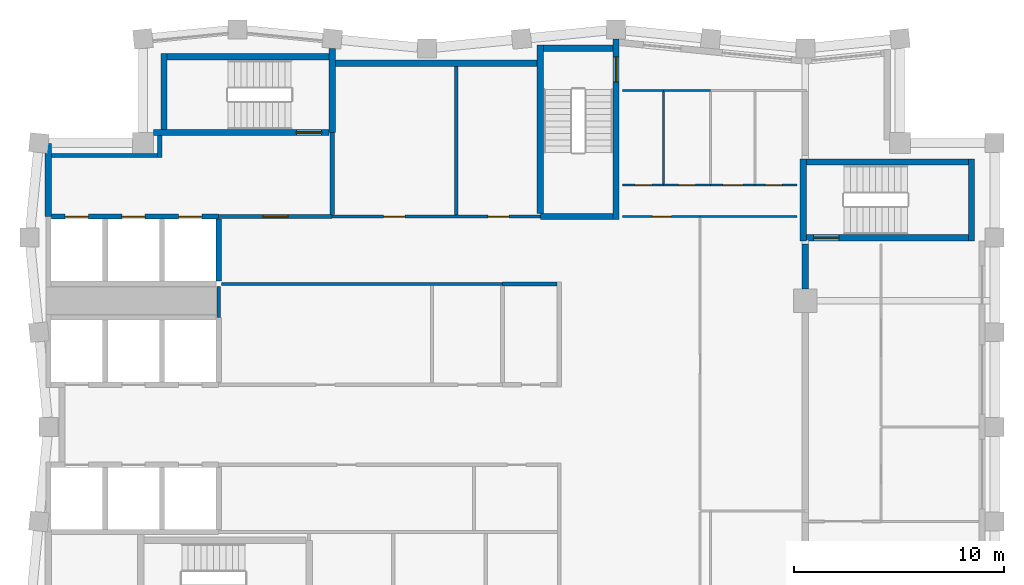
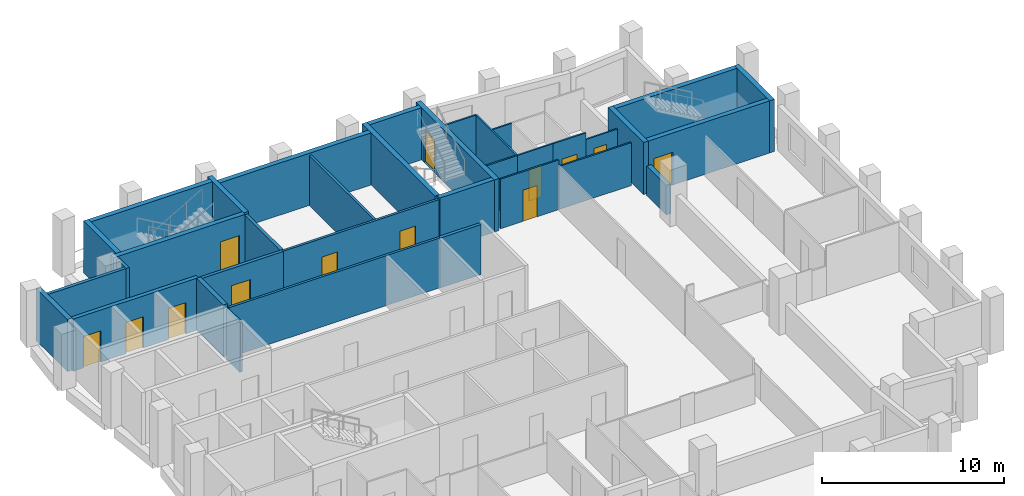
# One storey, part 5 of 7: 35 walls, 14 doors, 14 openings.
"""IFC4 building model written with IfcOpenShell, lengths in metres."""

from ifc_helpers import new_model, si_unit, direction, frame, frame_2d, origin, place, context, subcontext, project, spatial, rectangle, extrude, material, layer, layer_set, type_object, element, fill, save


model = new_model("IFC4")

# Units and contexts
model_context = context("Model", 3, precision=1e-05, world=origin(), true_north=direction((0.0, 1.0)))
body_context = subcontext(model_context, "Body", "Model", "MODEL_VIEW")
ifc_project = project(units=[si_unit("LENGTHUNIT", "METRE"), si_unit("AREAUNIT", "SQUARE_METRE"), si_unit("VOLUMEUNIT", "CUBIC_METRE"), si_unit("PLANEANGLEUNIT", "RADIAN"), si_unit("MASSUNIT", "GRAM", prefix="KILO")], contexts=[model_context])

# Site, building, storey
site_placement = place(None, origin())
site = spatial("IfcSite", under=ifc_project, at=site_placement, CompositionType="ELEMENT")
building_placement = place(site_placement, origin())
building = spatial("IfcBuilding", under=site, at=building_placement, Name="Brondeck Convention Tower", CompositionType="ELEMENT")
storey_placement = place(building_placement, frame((0.0, 0.0, 275.199951171875)))
storey = spatial("IfcBuildingStorey", under=building, at=storey_placement, Name="L68", CompositionType="ELEMENT", Elevation=275.199951171875)

# Walls
ifc_material_1 = material(Name="Concrete compartment wall C30/37", Category="concrete")
ifc_layer_1 = layer(ifc_material_1, 0.300048828125)
ifc_layer_set_1 = layer_set([ifc_layer_1], Name="Compartment wall 300")
wall_type_1 = type_object("IfcWallType", Name="Compartment wall 300", PredefinedType="PARTITIONING", material=ifc_layer_set_1)
wall_1_placement = place(storey_placement, frame((36.0, 51.554931640625, 0.0), z_axis=(0.0, 0.0, 1.0), x_axis=(0.0, 1.0, 0.0)))
element("IfcWall", 1, at=wall_1_placement, inside=storey, type_object=wall_type_1, Name="FLR-L68-W046", PredefinedType="PARTITIONING", context=body_context, shape_type="SweptSolid", body=[
    extrude(rectangle(XDim=2.14501953125, YDim=0.300048828125, at=frame_2d((1.072509765625, 0.0))), origin(), (0.0, 0.0, 1.0), 1.97998046875),
])
ifc_material_2 = material(Name="Concrete C50/60", Category="concrete")
ifc_layer_2 = layer(ifc_material_2, 0.300048828125)
ifc_layer_set_2 = layer_set([ifc_layer_2], Name="Core outer wall 300 Concrete C50/60")
wall_type_2 = type_object("IfcWallType", Name="Core outer wall 300 Concrete C50/60", PredefinedType="SHEAR", material=ifc_layer_set_2)
wall_2_placement = place(storey_placement, frame((13.64990234375, 62.300048828125, 0.0), z_axis=(0.0, 0.0, 1.0), x_axis=(1.0, 0.0, 0.0)))
element("IfcWall", 2, at=wall_2_placement, inside=storey, type_object=wall_type_2, Name="L68 core wall", PredefinedType="SHEAR", context=body_context, shape_type="SweptSolid", body=[
    extrude(rectangle(XDim=9.60009765625, YDim=0.300048828125, at=frame_2d((4.800048828125, 0.0))), origin(), (0.0, 0.0, 1.0), 3.5),
])
wall_3_placement = place(storey_placement, frame((0.0, 55.0, 0.0), z_axis=(0.0, 0.0, 1.0), x_axis=(0.0, 1.0, 0.0)))
element("IfcWall", 3, at=wall_3_placement, inside=storey, type_object=wall_type_2, Name="L68 core wall", PredefinedType="SHEAR", context=body_context, shape_type="SweptSolid", body=[
    extrude(rectangle(XDim=3.4775390625, YDim=0.300048828125, at=frame_2d((1.73876953125, 0.0))), origin(), (0.0, 0.0, 1.0), 3.5),
])
ifc_material_3 = material(Name="Fire-rated gypsum board partition")
ifc_layer_3 = layer(ifc_material_3, 0.14990234375)
ifc_layer_set_3 = layer_set([ifc_layer_3], Name="Core partition 150 EI 60")
wall_type_3 = type_object("IfcWallType", Name="Core partition 150 EI 60", PredefinedType="PARTITIONING", material=ifc_layer_set_3)
wall_4_placement = place(storey_placement, frame((8.22509765625, 51.800048828125, 0.0), z_axis=(0.0, 0.0, 1.0), x_axis=(1.0, 0.0, 0.0)))
element("IfcWall", 4, at=wall_4_placement, inside=storey, type_object=wall_type_3, Name="L68 core wall", PredefinedType="PARTITIONING", context=body_context, shape_type="SweptSolid", body=[
    extrude(rectangle(XDim=13.375, YDim=0.14990234375, at=frame_2d((6.6875, 0.0))), origin(), (0.0, 0.0, 1.0), 3.35009765625),
])

# Wall, openings, doors
wall_5_placement = place(storey_placement, frame((13.5, 55.0, 0.0), z_axis=(0.0, 0.0, 1.0), x_axis=(1.0, 0.0, 0.0)))
wall_5 = element("IfcWall", 5, at=wall_5_placement, inside=storey, type_object=wall_type_3, Name="L68 core wall", PredefinedType="PARTITIONING", context=body_context, shape_type="SweptSolid", body=[
    extrude(rectangle(XDim=9.89990234375, YDim=0.14990234375, at=frame_2d((4.949951171875, 0.0))), origin(), (0.0, 0.0, 1.0), 3.35009765625),
])
opening_1_placement = place(wall_5_placement, frame((2.449951171875, 0.0, 0.0)))
opening_1 = element("IfcOpeningElement", 6, at=opening_1_placement, cuts=wall_5, Name="Opening C38-11", PredefinedType="OPENING", context=body_context, shape_type="SweptSolid", body=[
    extrude(rectangle(XDim=1.0, YDim=2.10009765625, at=frame_2d((0.5, 1.050048828125))), frame((0.0, 0.0849609375, 0.0), z_axis=(0.0, -1.0, 0.0), x_axis=(1.0, 0.0, 0.0)), (0.0, 0.0, 1.0), 0.169921875),
])
opening_2_placement = place(wall_5_placement, frame((7.39990234375, 0.0, 0.0)))
opening_2 = element("IfcOpeningElement", 7, at=opening_2_placement, cuts=wall_5, Name="Opening C38-12", PredefinedType="OPENING", context=body_context, shape_type="SweptSolid", body=[
    extrude(rectangle(XDim=1.0, YDim=2.10009765625, at=frame_2d((0.5, 1.050048828125))), frame((0.0, 0.0849609375, 0.0), z_axis=(0.0, -1.0, 0.0), x_axis=(1.0, 0.0, 0.0)), (0.0, 0.0, 1.0), 0.169921875),
])
ifc_material_4 = material(Name="Steel fire door", Category="steel")
door_type_1 = type_object("IfcDoorType", Name="Room door 1000x2100 EI 60", OperationType="NOTDEFINED", PredefinedType="DOOR", material=ifc_material_4)
door_1_placement = place(opening_1_placement, origin())
door_1 = element("IfcDoor", 8, at=door_1_placement, inside=storey, type_object=door_type_1, Name="L68 Room door NE-1", OperationType="SINGLE_SWING_LEFT", OverallHeight=2.10009765625, OverallWidth=1.0, PredefinedType="DOOR", context=body_context, shape_type="SweptSolid", body=[
    extrude(rectangle(XDim=1.0, YDim=2.10009765625, at=frame_2d((0.5, 1.050048828125))), frame((0.0, 0.02490234375, 0.0), z_axis=(0.0, -1.0, 0.0), x_axis=(1.0, 0.0, 0.0)), (0.0, 0.0, 1.0), 0.050048828125),
])
fill(opening_1, door_1)
door_2_placement = place(opening_2_placement, origin())
door_2 = element("IfcDoor", 9, at=door_2_placement, inside=storey, type_object=door_type_1, Name="L68 Room door NE-2", OperationType="SINGLE_SWING_RIGHT", OverallHeight=2.10009765625, OverallWidth=1.0, PredefinedType="DOOR", context=body_context, shape_type="SweptSolid", body=[
    extrude(rectangle(XDim=1.0, YDim=2.10009765625, at=frame_2d((0.5, 1.050048828125))), frame((0.0, 0.02490234375, 0.0), z_axis=(0.0, -1.0, 0.0), x_axis=(1.0, 0.0, 0.0)), (0.0, 0.0, 1.0), 0.050048828125),
])
fill(opening_2, door_2)

# Walls
wall_6_placement = place(storey_placement, frame((8.10009765625, 50.199951171875, 0.0), z_axis=(0.0, 0.0, 1.0), x_axis=(0.0, 1.0, 0.0)))
element("IfcWall", 10, at=wall_6_placement, inside=storey, type_object=wall_type_3, Name="L68 core wall", PredefinedType="PARTITIONING", context=body_context, shape_type="SweptSolid", body=[
    extrude(rectangle(XDim=1.47509765625, YDim=0.14990234375, at=frame_2d((0.737548828125, 0.0))), origin(), (0.0, 0.0, 1.0), 3.35009765625),
])
wall_7_placement = place(storey_placement, frame((19.39990234375, 55.074951171875, 0.0), z_axis=(0.0, 0.0, 1.0), x_axis=(0.0, 1.0, 0.0)))
element("IfcWall", 11, at=wall_7_placement, inside=storey, type_object=wall_type_3, Name="L68 core wall", PredefinedType="PARTITIONING", context=body_context, shape_type="SweptSolid", body=[
    extrude(rectangle(XDim=7.074951171875, YDim=0.14990234375, at=frame_2d((3.53759765625, 0.0))), origin(), (0.0, 0.0, 1.0), 3.35009765625),
])

# Wall, opening, door
ifc_layer_4 = layer(ifc_material_3, 0.199951171875)
ifc_layer_set_4 = layer_set([ifc_layer_4], Name="Firefighting lobby wall 200 EI 120")
wall_type_4 = type_object("IfcWallType", Name="Firefighting lobby wall 200 EI 120", PredefinedType="PARTITIONING", material=ifc_layer_set_4)
wall_8_placement = place(storey_placement, frame((8.10009765625, 55.0, 0.0), z_axis=(0.0, 0.0, 1.0), x_axis=(1.0, 0.0, 0.0)))
wall_8 = element("IfcWall", 12, at=wall_8_placement, inside=storey, type_object=wall_type_4, Name="L68 core wall", PredefinedType="PARTITIONING", context=body_context, shape_type="SweptSolid", body=[
    extrude(rectangle(XDim=5.39990234375, YDim=0.199951171875, at=frame_2d((2.699951171875, 0.0))), origin(), (0.0, 0.0, 1.0), 3.35009765625),
])
opening_3_placement = place(wall_8_placement, frame((2.10009765625, 0.0, 0.0)))
opening_3 = element("IfcOpeningElement", 13, at=opening_3_placement, cuts=wall_8, Name="Opening C38-01", PredefinedType="OPENING", context=body_context, shape_type="SweptSolid", body=[
    extrude(rectangle(XDim=1.199951171875, YDim=2.199951171875, at=frame_2d((0.60009765625, 1.10009765625))), frame((0.0, 0.10986328125, 0.0), z_axis=(0.0, -1.0, 0.0), x_axis=(1.0, 0.0, 0.0)), (0.0, 0.0, 1.0), 0.219970703125),
])
door_type_2 = type_object("IfcDoorType", Name="Firefighting lobby door 1200x2200 EI 120", OperationType="NOTDEFINED", PredefinedType="DOOR", material=ifc_material_4)
door_3_placement = place(opening_3_placement, origin())
door_3 = element("IfcDoor", 14, at=door_3_placement, inside=storey, type_object=door_type_2, Name="L68 Firefighting lobby door FFL-1", OperationType="SINGLE_SWING_RIGHT", OverallHeight=2.199951171875, OverallWidth=1.199951171875, PredefinedType="DOOR", context=body_context, shape_type="SweptSolid", body=[
    extrude(rectangle(XDim=1.199951171875, YDim=2.199951171875, at=frame_2d((0.60009765625, 1.10009765625))), frame((0.0, 0.02490234375, 0.0), z_axis=(0.0, -1.0, 0.0), x_axis=(1.0, 0.0, 0.0)), (0.0, 0.0, 1.0), 0.050048828125),
])
fill(opening_3, door_3)

# Walls
wall_9_placement = place(storey_placement, frame((0.14990234375, 57.89990234375, 0.0), z_axis=(0.0, 0.0, 1.0), x_axis=(1.0, 0.0, 0.0)))
element("IfcWall", 15, at=wall_9_placement, inside=storey, type_object=wall_type_4, Name="L68 core wall", PredefinedType="PARTITIONING", context=body_context, shape_type="SweptSolid", body=[
    extrude(rectangle(XDim=5.050048828125, YDim=0.199951171875, at=frame_2d((2.52490234375, 0.0))), origin(), (0.0, 0.0, 1.0), 3.35009765625),
])
wall_10_placement = place(storey_placement, frame((5.300048828125, 57.800048828125, 0.0), z_axis=(0.0, 0.0, 1.0), x_axis=(0.0, 1.0, 0.0)))
element("IfcWall", 16, at=wall_10_placement, inside=storey, type_object=wall_type_4, Name="L68 core wall", PredefinedType="PARTITIONING", context=body_context, shape_type="SweptSolid", body=[
    extrude(rectangle(XDim=1.050048828125, YDim=0.199951171875, at=frame_2d((0.52490234375, 0.0))), origin(), (0.0, 0.0, 1.0), 3.35009765625),
])
wall_11_placement = place(storey_placement, frame((13.5, 55.10009765625, 0.0), z_axis=(0.0, 0.0, 1.0), x_axis=(0.0, 1.0, 0.0)))
element("IfcWall", 17, at=wall_11_placement, inside=storey, type_object=wall_type_4, Name="L68 core wall", PredefinedType="PARTITIONING", context=body_context, shape_type="SweptSolid", body=[
    extrude(rectangle(XDim=3.89990234375, YDim=0.199951171875, at=frame_2d((1.949951171875, 0.0))), origin(), (0.0, 0.0, 1.0), 3.35009765625),
])

# Wall, openings, doors
ifc_layer_5 = layer(ifc_material_2, 0.25)
ifc_layer_set_5 = layer_set([ifc_layer_5], Name="Lift shaft wall 250 Concrete C50/60")
wall_type_5 = type_object("IfcWallType", Name="Lift shaft wall 250 Concrete C50/60", PredefinedType="SHEAR", material=ifc_layer_set_5)
wall_12_placement = place(storey_placement, frame((0.14990234375, 55.0, 0.0), z_axis=(0.0, 0.0, 1.0), x_axis=(1.0, 0.0, 0.0)))
wall_12 = element("IfcWall", 18, at=wall_12_placement, inside=storey, type_object=wall_type_5, Name="L68 core wall", PredefinedType="SHEAR", context=body_context, shape_type="SweptSolid", body=[
    extrude(rectangle(XDim=7.9501953125, YDim=0.25, at=frame_2d((3.97509765625, 0.0))), origin(), (0.0, 0.0, 1.0), 3.5),
])
opening_4_placement = place(wall_12_placement, frame((0.64990234375, 0.0, 0.0)))
opening_4 = element("IfcOpeningElement", 19, at=opening_4_placement, cuts=wall_12, Name="Opening C38-18", PredefinedType="OPENING", context=body_context, shape_type="SweptSolid", body=[
    extrude(rectangle(XDim=1.10009765625, YDim=2.10009765625, at=frame_2d((0.550048828125, 1.050048828125))), frame((0.0, 0.135009765625, 0.0), z_axis=(0.0, -1.0, 0.0), x_axis=(1.0, 0.0, 0.0)), (0.0, 0.0, 1.0), 0.27001953125),
])
opening_5_placement = place(wall_12_placement, frame((3.35009765625, 0.0, 0.0)))
opening_5 = element("IfcOpeningElement", 20, at=opening_5_placement, cuts=wall_12, Name="Opening C38-19", PredefinedType="OPENING", context=body_context, shape_type="SweptSolid", body=[
    extrude(rectangle(XDim=1.10009765625, YDim=2.10009765625, at=frame_2d((0.550048828125, 1.050048828125))), frame((0.0, 0.135009765625, 0.0), z_axis=(0.0, -1.0, 0.0), x_axis=(1.0, 0.0, 0.0)), (0.0, 0.0, 1.0), 0.27001953125),
])
opening_6_placement = place(wall_12_placement, frame((6.050048828125, 0.0, 0.0)))
opening_6 = element("IfcOpeningElement", 21, at=opening_6_placement, cuts=wall_12, Name="Opening C38-20", PredefinedType="OPENING", context=body_context, shape_type="SweptSolid", body=[
    extrude(rectangle(XDim=1.10009765625, YDim=2.10009765625, at=frame_2d((0.550048828125, 1.050048828125))), frame((0.0, 0.135009765625, 0.0), z_axis=(0.0, -1.0, 0.0), x_axis=(1.0, 0.0, 0.0)), (0.0, 0.0, 1.0), 0.27001953125),
])
ifc_material_5 = material(Name="Stainless steel lift door", Category="steel")
door_type_3 = type_object("IfcDoorType", Name="Lift landing door 1100x2100 EI 180", OperationType="DOUBLE_DOOR_SLIDING", PredefinedType="DOOR", material=ifc_material_5)
door_4_placement = place(opening_4_placement, origin())
door_4 = element("IfcDoor", 22, at=door_4_placement, inside=storey, type_object=door_type_3, Name="L68 Lift landing door FF1", OperationType="DOUBLE_DOOR_SLIDING", OverallHeight=2.10009765625, OverallWidth=1.10009765625, PredefinedType="DOOR", context=body_context, shape_type="SweptSolid", body=[
    extrude(rectangle(XDim=1.10009765625, YDim=2.10009765625, at=frame_2d((0.550048828125, 1.050048828125))), frame((0.0, 0.02490234375, 0.0), z_axis=(0.0, -1.0, 0.0), x_axis=(1.0, 0.0, 0.0)), (0.0, 0.0, 1.0), 0.050048828125),
])
fill(opening_4, door_4)
door_5_placement = place(opening_5_placement, origin())
door_5 = element("IfcDoor", 23, at=door_5_placement, inside=storey, type_object=door_type_3, Name="L68 Lift landing door FF2", OperationType="DOUBLE_DOOR_SLIDING", OverallHeight=2.10009765625, OverallWidth=1.10009765625, PredefinedType="DOOR", context=body_context, shape_type="SweptSolid", body=[
    extrude(rectangle(XDim=1.10009765625, YDim=2.10009765625, at=frame_2d((0.550048828125, 1.050048828125))), frame((0.0, 0.02490234375, 0.0), z_axis=(0.0, -1.0, 0.0), x_axis=(1.0, 0.0, 0.0)), (0.0, 0.0, 1.0), 0.050048828125),
])
fill(opening_5, door_5)
door_6_placement = place(opening_6_placement, origin())
door_6 = element("IfcDoor", 24, at=door_6_placement, inside=storey, type_object=door_type_3, Name="L68 Lift landing door FF3", OperationType="DOUBLE_DOOR_SLIDING", OverallHeight=2.10009765625, OverallWidth=1.10009765625, PredefinedType="DOOR", context=body_context, shape_type="SweptSolid", body=[
    extrude(rectangle(XDim=1.10009765625, YDim=2.10009765625, at=frame_2d((0.550048828125, 1.050048828125))), frame((0.0, 0.02490234375, 0.0), z_axis=(0.0, -1.0, 0.0), x_axis=(1.0, 0.0, 0.0)), (0.0, 0.0, 1.0), 0.050048828125),
])
fill(opening_6, door_6)

# Walls
wall_13_placement = place(storey_placement, frame((8.10009765625, 51.925048828125, 0.0), z_axis=(0.0, 0.0, 1.0), x_axis=(0.0, 1.0, 0.0)))
element("IfcWall", 25, at=wall_13_placement, inside=storey, type_object=wall_type_5, Name="L68 core wall", PredefinedType="SHEAR", context=body_context, shape_type="SweptSolid", body=[
    extrude(rectangle(XDim=2.949951171875, YDim=0.25, at=frame_2d((1.47509765625, 0.0))), origin(), (0.0, 0.0, 1.0), 3.5),
])
ifc_layer_6 = layer(ifc_material_3, 0.199951171875)
ifc_layer_set_6 = layer_set([ifc_layer_6], Name="Riser wall 200 EI 120")
wall_type_6 = type_object("IfcWallType", Name="Riser wall 200 EI 120", PredefinedType="PARTITIONING", material=ifc_layer_set_6)
wall_14_placement = place(storey_placement, frame((21.60009765625, 51.800048828125, 0.0), z_axis=(0.0, 0.0, 1.0), x_axis=(1.0, 0.0, 0.0)))
element("IfcWall", 26, at=wall_14_placement, inside=storey, type_object=wall_type_6, Name="L68 core wall", PredefinedType="PARTITIONING", context=body_context, shape_type="SweptSolid", body=[
    extrude(rectangle(XDim=2.599853515625, YDim=0.199951171875, at=frame_2d((1.2998046875, 0.0))), origin(), (0.0, 0.0, 1.0), 3.35009765625),
])

# Wall, opening, door
ifc_material_6 = material(Name="Gypsum board partition on steel studs", Category="steel")
ifc_layer_7 = layer(ifc_material_6, 0.10009765625)
ifc_layer_set_7 = layer_set([ifc_layer_7], Name="Room partition 100")
wall_type_7 = type_object("IfcWallType", Name="Room partition 100", PredefinedType="PARTITIONING", material=ifc_layer_set_7)
wall_15_placement = place(storey_placement, frame((27.300048828125, 55.0, 0.0), z_axis=(0.0, 0.0, 1.0), x_axis=(1.0, 0.0, 0.0)))
wall_15 = element("IfcWall", 27, at=wall_15_placement, inside=storey, type_object=wall_type_7, Name="FLR-L68-W049", PredefinedType="PARTITIONING", context=body_context, shape_type="SweptSolid", body=[
    extrude(rectangle(XDim=3.699951171875, YDim=0.10009765625, at=frame_2d((1.85009765625, 0.0))), origin(), (0.0, 0.0, 1.0), 3.330078125),
])
opening_7_placement = place(wall_15_placement, frame((1.425048828125, 0.0, 0.0)))
opening_7 = element("IfcOpeningElement", 28, at=opening_7_placement, cuts=wall_15, Name="Opening EX-D-007", PredefinedType="OPENING", context=body_context, shape_type="SweptSolid", body=[
    extrude(rectangle(XDim=0.89990234375, YDim=2.10009765625, at=frame_2d((0.449951171875, 1.050048828125))), frame((0.0, 0.06005859375, 0.0), z_axis=(0.0, -1.0, 0.0), x_axis=(1.0, 0.0, 0.0)), (0.0, 0.0, 1.0), 0.1201171875),
])
ifc_material_7 = material(Name="Solid timber door leaf", Category="wood")
door_type_4 = type_object("IfcDoorType", Name="Single door 900", OperationType="NOTDEFINED", PredefinedType="DOOR", material=ifc_material_7)
door_7_placement = place(opening_7_placement, origin())
door_7 = element("IfcDoor", 29, at=door_7_placement, inside=storey, type_object=door_type_4, Name="Door EX-D-007", OperationType="SINGLE_SWING_RIGHT", OverallHeight=2.10009765625, OverallWidth=0.89990234375, PredefinedType="DOOR", context=body_context, shape_type="SweptSolid", body=[
    extrude(rectangle(XDim=0.89990234375, YDim=2.10009765625, at=frame_2d((0.449951171875, 1.050048828125))), frame((0.0, 0.02490234375, 0.0), z_axis=(0.0, -1.0, 0.0), x_axis=(1.0, 0.0, 0.0)), (0.0, 0.0, 1.0), 0.050048828125),
])
fill(opening_7, door_7)

# Wall
wall_16_placement = place(storey_placement, frame((35.60009765625, 55.0, 0.0), z_axis=(0.0, 0.0, 1.0), x_axis=(-1.0, 0.0, 0.0)))
element("IfcWall", 30, at=wall_16_placement, inside=storey, type_object=wall_type_7, Name="FLR-L68-W050", PredefinedType="PARTITIONING", context=body_context, shape_type="SweptSolid", body=[
    extrude(rectangle(XDim=4.60009765625, YDim=0.10009765625, at=frame_2d((2.300048828125, 0.0))), origin(), (0.0, 0.0, 1.0), 2.880126953125),
])

# Wall, opening, door
wall_17_placement = place(storey_placement, frame((27.300048828125, 56.5, 0.0), z_axis=(0.0, 0.0, 1.0), x_axis=(1.0, 0.0, 0.0)))
wall_17 = element("IfcWall", 31, at=wall_17_placement, inside=storey, type_object=wall_type_7, Name="FLR-L68-W051", PredefinedType="PARTITIONING", context=body_context, shape_type="SweptSolid", body=[
    extrude(rectangle(XDim=1.949951171875, YDim=0.10009765625, at=frame_2d((0.97509765625, 0.0))), origin(), (0.0, 0.0, 1.0), 3.330078125),
])
opening_8_placement = place(wall_17_placement, frame((0.60009765625, 0.0, 0.0)))
opening_8 = element("IfcOpeningElement", 32, at=opening_8_placement, cuts=wall_17, Name="Opening EX-D-008", PredefinedType="OPENING", context=body_context, shape_type="SweptSolid", body=[
    extrude(rectangle(XDim=0.800048828125, YDim=2.10009765625, at=frame_2d((0.39990234375, 1.050048828125))), frame((0.0, 0.06005859375, 0.0), z_axis=(0.0, -1.0, 0.0), x_axis=(1.0, 0.0, 0.0)), (0.0, 0.0, 1.0), 0.1201171875),
])
door_type_5 = type_object("IfcDoorType", Name="En-suite door 800", OperationType="NOTDEFINED", PredefinedType="DOOR", material=ifc_material_7)
door_8_placement = place(opening_8_placement, origin())
door_8 = element("IfcDoor", 33, at=door_8_placement, inside=storey, type_object=door_type_5, Name="Door EX-D-008", OperationType="SINGLE_SWING_LEFT", OverallHeight=2.10009765625, OverallWidth=0.800048828125, PredefinedType="DOOR", context=body_context, shape_type="SweptSolid", body=[
    extrude(rectangle(XDim=0.800048828125, YDim=2.10009765625, at=frame_2d((0.39990234375, 1.050048828125))), frame((0.0, 0.02490234375, 0.0), z_axis=(0.0, -1.0, 0.0), x_axis=(1.0, 0.0, 0.0)), (0.0, 0.0, 1.0), 0.050048828125),
])
fill(opening_8, door_8)

wall_18_placement = place(storey_placement, frame((29.25, 56.5, 0.0), z_axis=(0.0, 0.0, 1.0), x_axis=(1.0, 0.0, 0.0)))
wall_18 = element("IfcWall", 34, at=wall_18_placement, inside=storey, type_object=wall_type_7, Name="FLR-L68-W052", PredefinedType="PARTITIONING", context=body_context, shape_type="SweptSolid", body=[
    extrude(rectangle(XDim=2.25, YDim=0.10009765625, at=frame_2d((1.125, 0.0))), origin(), (0.0, 0.0, 1.0), 3.330078125),
])
opening_9_placement = place(wall_18_placement, frame((0.72509765625, 0.0, 0.0)))
opening_9 = element("IfcOpeningElement", 35, at=opening_9_placement, cuts=wall_18, Name="Opening EX-D-009", PredefinedType="OPENING", context=body_context, shape_type="SweptSolid", body=[
    extrude(rectangle(XDim=0.800048828125, YDim=2.10009765625, at=frame_2d((0.39990234375, 1.050048828125))), frame((0.0, 0.06005859375, 0.0), z_axis=(0.0, -1.0, 0.0), x_axis=(1.0, 0.0, 0.0)), (0.0, 0.0, 1.0), 0.1201171875),
])
door_9_placement = place(opening_9_placement, origin())
door_9 = element("IfcDoor", 36, at=door_9_placement, inside=storey, type_object=door_type_5, Name="Door EX-D-009", OperationType="SINGLE_SWING_RIGHT", OverallHeight=2.10009765625, OverallWidth=0.800048828125, PredefinedType="DOOR", context=body_context, shape_type="SweptSolid", body=[
    extrude(rectangle(XDim=0.800048828125, YDim=2.10009765625, at=frame_2d((0.39990234375, 1.050048828125))), frame((0.0, 0.02490234375, 0.0), z_axis=(0.0, -1.0, 0.0), x_axis=(1.0, 0.0, 0.0)), (0.0, 0.0, 1.0), 0.050048828125),
])
fill(opening_9, door_9)

wall_19_placement = place(storey_placement, frame((31.5, 56.5, 0.0), z_axis=(0.0, 0.0, 1.0), x_axis=(1.0, 0.0, 0.0)))
wall_19 = element("IfcWall", 37, at=wall_19_placement, inside=storey, type_object=wall_type_7, Name="FLR-L68-W053", PredefinedType="PARTITIONING", context=body_context, shape_type="SweptSolid", body=[
    extrude(rectangle(XDim=2.10009765625, YDim=0.10009765625, at=frame_2d((1.050048828125, 0.0))), origin(), (0.0, 0.0, 1.0), 3.330078125),
])
opening_10_placement = place(wall_19_placement, frame((0.574951171875, 0.0, 0.0)))
opening_10 = element("IfcOpeningElement", 38, at=opening_10_placement, cuts=wall_19, Name="Opening EX-D-010", PredefinedType="OPENING", context=body_context, shape_type="SweptSolid", body=[
    extrude(rectangle(XDim=0.949951171875, YDim=2.10009765625, at=frame_2d((0.47509765625, 1.050048828125))), frame((0.0, 0.06005859375, 0.0), z_axis=(0.0, -1.0, 0.0), x_axis=(1.0, 0.0, 0.0)), (0.0, 0.0, 1.0), 0.1201171875),
])
door_type_6 = type_object("IfcDoorType", Name="Accessible door 950", OperationType="NOTDEFINED", PredefinedType="DOOR", material=ifc_material_7)
door_10_placement = place(opening_10_placement, origin())
door_10 = element("IfcDoor", 39, at=door_10_placement, inside=storey, type_object=door_type_6, Name="Door EX-D-010", OperationType="SINGLE_SWING_LEFT", OverallHeight=2.10009765625, OverallWidth=0.949951171875, PredefinedType="DOOR", context=body_context, shape_type="SweptSolid", body=[
    extrude(rectangle(XDim=0.949951171875, YDim=2.10009765625, at=frame_2d((0.47509765625, 1.050048828125))), frame((0.0, 0.02490234375, 0.0), z_axis=(0.0, -1.0, 0.0), x_axis=(1.0, 0.0, 0.0)), (0.0, 0.0, 1.0), 0.050048828125),
])
fill(opening_10, door_10)

wall_20_placement = place(storey_placement, frame((33.60009765625, 56.5, 0.0), z_axis=(0.0, 0.0, 1.0), x_axis=(1.0, 0.0, 0.0)))
wall_20 = element("IfcWall", 40, at=wall_20_placement, inside=storey, type_object=wall_type_7, Name="FLR-L68-W054", PredefinedType="PARTITIONING", context=body_context, shape_type="SweptSolid", body=[
    extrude(rectangle(XDim=2.0, YDim=0.10009765625, at=frame_2d((1.0, 0.0))), origin(), (0.0, 0.0, 1.0), 2.880126953125),
])
opening_11_placement = place(wall_20_placement, frame((0.5, 0.0, 0.0)))
opening_11 = element("IfcOpeningElement", 41, at=opening_11_placement, cuts=wall_20, Name="Opening EX-D-011", PredefinedType="OPENING", context=body_context, shape_type="SweptSolid", body=[
    extrude(rectangle(XDim=0.800048828125, YDim=2.10009765625, at=frame_2d((0.39990234375, 1.050048828125))), frame((0.0, 0.06005859375, 0.0), z_axis=(0.0, -1.0, 0.0), x_axis=(1.0, 0.0, 0.0)), (0.0, 0.0, 1.0), 0.1201171875),
])
ifc_material_8 = material(Name="Steel service door leaf", Category="steel")
door_type_7 = type_object("IfcDoorType", Name="Service door 800", OperationType="NOTDEFINED", PredefinedType="DOOR", material=ifc_material_8)
door_11_placement = place(opening_11_placement, origin())
door_11 = element("IfcDoor", 42, at=door_11_placement, inside=storey, type_object=door_type_7, Name="Door EX-D-011", OperationType="SINGLE_SWING_LEFT", OverallHeight=2.10009765625, OverallWidth=0.800048828125, PredefinedType="DOOR", context=body_context, shape_type="SweptSolid", body=[
    extrude(rectangle(XDim=0.800048828125, YDim=2.10009765625, at=frame_2d((0.39990234375, 1.050048828125))), frame((0.0, 0.02490234375, 0.0), z_axis=(0.0, -1.0, 0.0), x_axis=(1.0, 0.0, 0.0)), (0.0, 0.0, 1.0), 0.050048828125),
])
fill(opening_11, door_11)

# Walls
wall_21_placement = place(storey_placement, frame((29.25, 60.949951171875, 0.0), z_axis=(0.0, 0.0, 1.0), x_axis=(0.0, -1.0, 0.0)))
element("IfcWall", 43, at=wall_21_placement, inside=storey, type_object=wall_type_7, Name="FLR-L68-W055", PredefinedType="PARTITIONING", context=body_context, shape_type="SweptSolid", body=[
    extrude(rectangle(XDim=4.39990234375, YDim=0.10009765625, at=frame_2d((2.199951171875, 0.0))), origin(), (0.0, 0.0, 1.0), 3.330078125),
])
wall_22_placement = place(storey_placement, frame((27.300048828125, 61.0, 0.0), z_axis=(0.0, 0.0, 1.0), x_axis=(1.0, 0.0, 0.0)))
element("IfcWall", 44, at=wall_22_placement, inside=storey, type_object=wall_type_7, Name="FLR-L68-W059", PredefinedType="PARTITIONING", context=body_context, shape_type="SweptSolid", body=[
    extrude(rectangle(XDim=1.949951171875, YDim=0.10009765625, at=frame_2d((0.97509765625, 0.0))), origin(), (0.0, 0.0, 1.0), 3.330078125),
])
wall_23_placement = place(storey_placement, frame((29.25, 61.0, 0.0), z_axis=(0.0, 0.0, 1.0), x_axis=(1.0, 0.0, 0.0)))
element("IfcWall", 45, at=wall_23_placement, inside=storey, type_object=wall_type_7, Name="FLR-L68-W060", PredefinedType="PARTITIONING", context=body_context, shape_type="SweptSolid", body=[
    extrude(rectangle(XDim=2.25, YDim=0.10009765625, at=frame_2d((1.125, 0.0))), origin(), (0.0, 0.0, 1.0), 1.97998046875),
])

# Wall, opening, door
ifc_layer_8 = layer(ifc_material_2, 0.300048828125)
ifc_layer_set_8 = layer_set([ifc_layer_8], Name="Stair enclosure wall 300 Concrete C50/60")
wall_type_8 = type_object("IfcWallType", Name="Stair enclosure wall 300 Concrete C50/60", PredefinedType="SHEAR", material=ifc_layer_set_8)
wall_24_placement = place(storey_placement, frame((36.050048828125, 54.0, 0.0), z_axis=(0.0, 0.0, 1.0), x_axis=(1.0, 0.0, 0.0)))
wall_24 = element("IfcWall", 46, at=wall_24_placement, inside=storey, type_object=wall_type_8, Name="L68 core wall", PredefinedType="SHEAR", context=body_context, shape_type="SweptSolid", body=[
    extrude(rectangle(XDim=7.699951171875, YDim=0.300048828125, at=frame_2d((3.85009765625, 0.0))), origin(), (0.0, 0.0, 1.0), 3.5),
])
opening_12_placement = place(wall_24_placement, frame((0.35009765625, 0.0, 0.0)))
opening_12 = element("IfcOpeningElement", 47, at=opening_12_placement, cuts=wall_24, Name="Opening C38-16", PredefinedType="OPENING", context=body_context, shape_type="SweptSolid", body=[
    extrude(rectangle(XDim=1.199951171875, YDim=2.199951171875, at=frame_2d((0.60009765625, 1.10009765625))), frame((0.0, 0.159912109375, 0.0), z_axis=(0.0, -1.0, 0.0), x_axis=(1.0, 0.0, 0.0)), (0.0, 0.0, 1.0), 0.320068359375),
])
door_type_8 = type_object("IfcDoorType", Name="Stair door 1200x2200 EI 90", OperationType="NOTDEFINED", PredefinedType="DOOR", material=ifc_material_4)
door_12_placement = place(opening_12_placement, origin())
door_12 = element("IfcDoor", 48, at=door_12_placement, inside=storey, type_object=door_type_8, Name="L68 Stair door ST-AE", OperationType="SINGLE_SWING_LEFT", OverallHeight=2.199951171875, OverallWidth=1.199951171875, PredefinedType="DOOR", context=body_context, shape_type="SweptSolid", body=[
    extrude(rectangle(XDim=1.199951171875, YDim=2.199951171875, at=frame_2d((0.60009765625, 1.10009765625))), frame((0.0, 0.02490234375, 0.0), z_axis=(0.0, -1.0, 0.0), x_axis=(1.0, 0.0, 0.0)), (0.0, 0.0, 1.0), 0.050048828125),
])
fill(opening_12, door_12)

# Walls
wall_25_placement = place(storey_placement, frame((23.39990234375, 55.0, 0.0), z_axis=(0.0, 0.0, 1.0), x_axis=(1.0, 0.0, 0.0)))
element("IfcWall", 49, at=wall_25_placement, inside=storey, type_object=wall_type_8, Name="L68 core wall", PredefinedType="SHEAR", context=body_context, shape_type="SweptSolid", body=[
    extrude(rectangle(XDim=3.4501953125, YDim=0.300048828125, at=frame_2d((1.72509765625, 0.0))), origin(), (0.0, 0.0, 1.0), 3.5),
])
wall_26_placement = place(storey_placement, frame((36.050048828125, 57.60009765625, 0.0), z_axis=(0.0, 0.0, 1.0), x_axis=(1.0, 0.0, 0.0)))
element("IfcWall", 50, at=wall_26_placement, inside=storey, type_object=wall_type_8, Name="L68 core wall", PredefinedType="SHEAR", context=body_context, shape_type="SweptSolid", body=[
    extrude(rectangle(XDim=7.699951171875, YDim=0.300048828125, at=frame_2d((3.85009765625, 0.0))), origin(), (0.0, 0.0, 1.0), 3.5),
])

# Wall, opening, door
wall_27_placement = place(storey_placement, frame((5.0, 59.0, 0.0), z_axis=(0.0, 0.0, 1.0), x_axis=(1.0, 0.0, 0.0)))
wall_27 = element("IfcWall", 51, at=wall_27_placement, inside=storey, type_object=wall_type_8, Name="L68 core wall", PredefinedType="SHEAR", context=body_context, shape_type="SweptSolid", body=[
    extrude(rectangle(XDim=8.35009765625, YDim=0.300048828125, at=frame_2d((4.175048828125, 0.0))), origin(), (0.0, 0.0, 1.0), 3.5),
])
opening_13_placement = place(wall_27_placement, frame((6.800048828125, 0.0, 0.0)))
opening_13 = element("IfcOpeningElement", 52, at=opening_13_placement, cuts=wall_27, Name="Opening C38-15", PredefinedType="OPENING", context=body_context, shape_type="SweptSolid", body=[
    extrude(rectangle(XDim=1.199951171875, YDim=2.199951171875, at=frame_2d((0.60009765625, 1.10009765625))), frame((0.0, 0.159912109375, 0.0), z_axis=(0.0, -1.0, 0.0), x_axis=(1.0, 0.0, 0.0)), (0.0, 0.0, 1.0), 0.320068359375),
])
door_type_9 = type_object("IfcDoorType", Name="Stair door 1200x2200 EI 120", OperationType="NOTDEFINED", PredefinedType="DOOR", material=ifc_material_4)
door_13_placement = place(opening_13_placement, origin())
door_13 = element("IfcDoor", 53, at=door_13_placement, inside=storey, type_object=door_type_9, Name="L68 Stair door ST-3", OperationType="SINGLE_SWING_RIGHT", OverallHeight=2.199951171875, OverallWidth=1.199951171875, PredefinedType="DOOR", context=body_context, shape_type="SweptSolid", body=[
    extrude(rectangle(XDim=1.199951171875, YDim=2.199951171875, at=frame_2d((0.60009765625, 1.10009765625))), frame((0.0, 0.02490234375, 0.0), z_axis=(0.0, -1.0, 0.0), x_axis=(1.0, 0.0, 0.0)), (0.0, 0.0, 1.0), 0.050048828125),
])
fill(opening_13, door_13)

# Walls
wall_28_placement = place(storey_placement, frame((5.64990234375, 62.60009765625, 0.0), z_axis=(0.0, 0.0, 1.0), x_axis=(1.0, 0.0, 0.0)))
element("IfcWall", 54, at=wall_28_placement, inside=storey, type_object=wall_type_8, Name="L68 core wall", PredefinedType="SHEAR", context=body_context, shape_type="SweptSolid", body=[
    extrude(rectangle(XDim=7.7001953125, YDim=0.300048828125, at=frame_2d((3.85009765625, 0.0))), origin(), (0.0, 0.0, 1.0), 3.5),
])
wall_29_placement = place(storey_placement, frame((23.550048828125, 63.0, 0.0), z_axis=(0.0, 0.0, 1.0), x_axis=(1.0, 0.0, 0.0)))
element("IfcWall", 55, at=wall_29_placement, inside=storey, type_object=wall_type_8, Name="L68 core wall", PredefinedType="SHEAR", context=body_context, shape_type="SweptSolid", body=[
    extrude(rectangle(XDim=3.300048828125, YDim=0.300048828125, at=frame_2d((1.64990234375, 0.0))), origin(), (0.0, 0.0, 1.0), 3.5),
])
wall_30_placement = place(storey_placement, frame((5.5, 59.14990234375, 0.0), z_axis=(0.0, 0.0, 1.0), x_axis=(0.0, 1.0, 0.0)))
element("IfcWall", 56, at=wall_30_placement, inside=storey, type_object=wall_type_8, Name="L68 core wall", PredefinedType="SHEAR", context=body_context, shape_type="SweptSolid", body=[
    extrude(rectangle(XDim=3.60009765625, YDim=0.300048828125, at=frame_2d((1.800048828125, 0.0))), origin(), (0.0, 0.0, 1.0), 3.5),
])
wall_31_placement = place(storey_placement, frame((13.5, 59.0, 0.0), z_axis=(0.0, 0.0, 1.0), x_axis=(0.0, 1.0, 0.0)))
element("IfcWall", 57, at=wall_31_placement, inside=storey, type_object=wall_type_8, Name="L68 core wall", PredefinedType="SHEAR", context=body_context, shape_type="SweptSolid", body=[
    extrude(rectangle(XDim=3.997802734375, YDim=0.300048828125, at=frame_2d((1.9990234375, 0.0))), origin(), (0.0, 0.0, 1.0), 3.5),
])
wall_32_placement = place(storey_placement, frame((23.39990234375, 55.14990234375, 0.0), z_axis=(0.0, 0.0, 1.0), x_axis=(0.0, 1.0, 0.0)))
element("IfcWall", 58, at=wall_32_placement, inside=storey, type_object=wall_type_8, Name="L68 core wall", PredefinedType="SHEAR", context=body_context, shape_type="SweptSolid", body=[
    extrude(rectangle(XDim=8.0, YDim=0.300048828125, at=frame_2d((4.0, 0.0))), origin(), (0.0, 0.0, 1.0), 3.5),
])

# Wall, opening, door
wall_33_placement = place(storey_placement, frame((27.0, 54.85009765625, 0.0), z_axis=(0.0, 0.0, 1.0), x_axis=(0.0, 1.0, 0.0)))
wall_33 = element("IfcWall", 59, at=wall_33_placement, inside=storey, type_object=wall_type_8, Name="L68 core wall", PredefinedType="SHEAR", context=body_context, shape_type="SweptSolid", body=[
    extrude(rectangle(XDim=8.599853515625, YDim=0.300048828125, at=frame_2d((4.2998046875, 0.0))), origin(), (0.0, 0.0, 1.0), 3.5),
])
opening_14_placement = place(wall_33_placement, frame((6.550048828125, 0.0, 0.0)))
opening_14 = element("IfcOpeningElement", 60, at=opening_14_placement, cuts=wall_33, Name="Opening C38-14", PredefinedType="OPENING", context=body_context, shape_type="SweptSolid", body=[
    extrude(rectangle(XDim=1.199951171875, YDim=2.199951171875, at=frame_2d((0.60009765625, 1.10009765625))), frame((0.0, 0.159912109375, 0.0), z_axis=(0.0, -1.0, 0.0), x_axis=(1.0, 0.0, 0.0)), (0.0, 0.0, 1.0), 0.320068359375),
])
door_14_placement = place(opening_14_placement, origin())
door_14 = element("IfcDoor", 61, at=door_14_placement, inside=storey, type_object=door_type_8, Name="L68 Stair door ST-2", OperationType="SINGLE_SWING_LEFT", OverallHeight=2.199951171875, OverallWidth=1.199951171875, PredefinedType="DOOR", context=body_context, shape_type="SweptSolid", body=[
    extrude(rectangle(XDim=1.199951171875, YDim=2.199951171875, at=frame_2d((0.60009765625, 1.10009765625))), frame((0.0, 0.02490234375, 0.0), z_axis=(0.0, -1.0, 0.0), x_axis=(1.0, 0.0, 0.0)), (0.0, 0.0, 1.0), 0.050048828125),
])
fill(opening_14, door_14)

# Walls
for number, where, z_axis, x_axis, name in (
    (62, (35.89990234375, 53.85009765625, 0.0), (0.0, 0.0, 1.0), (0.0, 1.0, 0.0), "L68 core wall"),
    (63, (43.89990234375, 53.85009765625, 0.0), (0.0, 0.0, 1.0), (0.0, 1.0, 0.0), "L68 core wall"),
):
    element("IfcWall", number, at=place(storey_placement, frame(where, z_axis=z_axis, x_axis=x_axis)), inside=storey, type_object=wall_type_8, Name=name, PredefinedType="SHEAR", context=body_context, shape_type="SweptSolid", body=[
        extrude(rectangle(XDim=3.89990234375, YDim=0.300048828125, at=frame_2d((1.949951171875, 0.0))), origin(), (0.0, 0.0, 1.0), 3.5),
    ])

save(model, "model.ifc")
